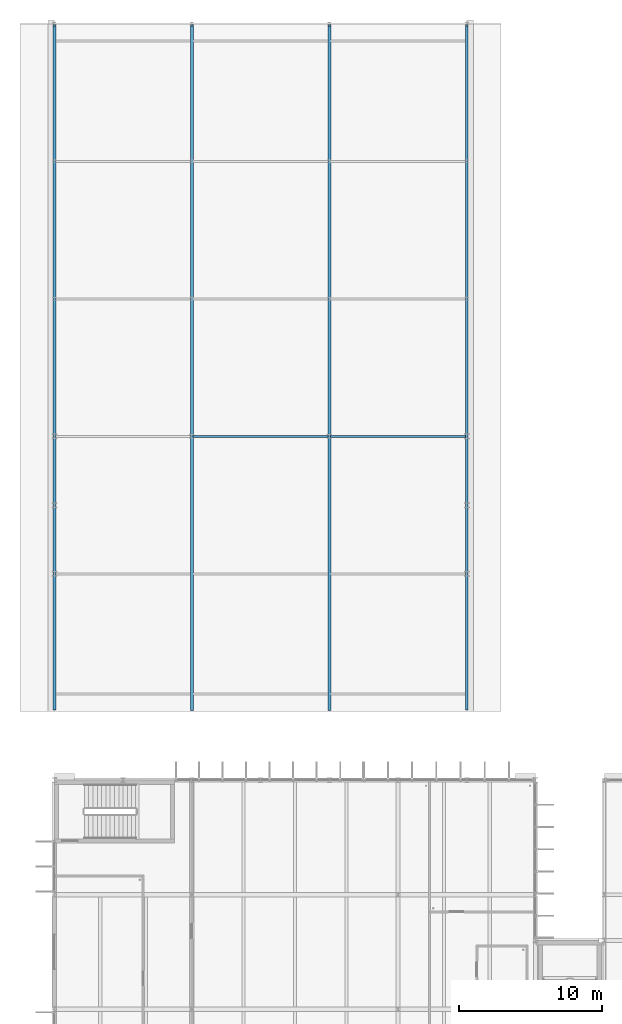
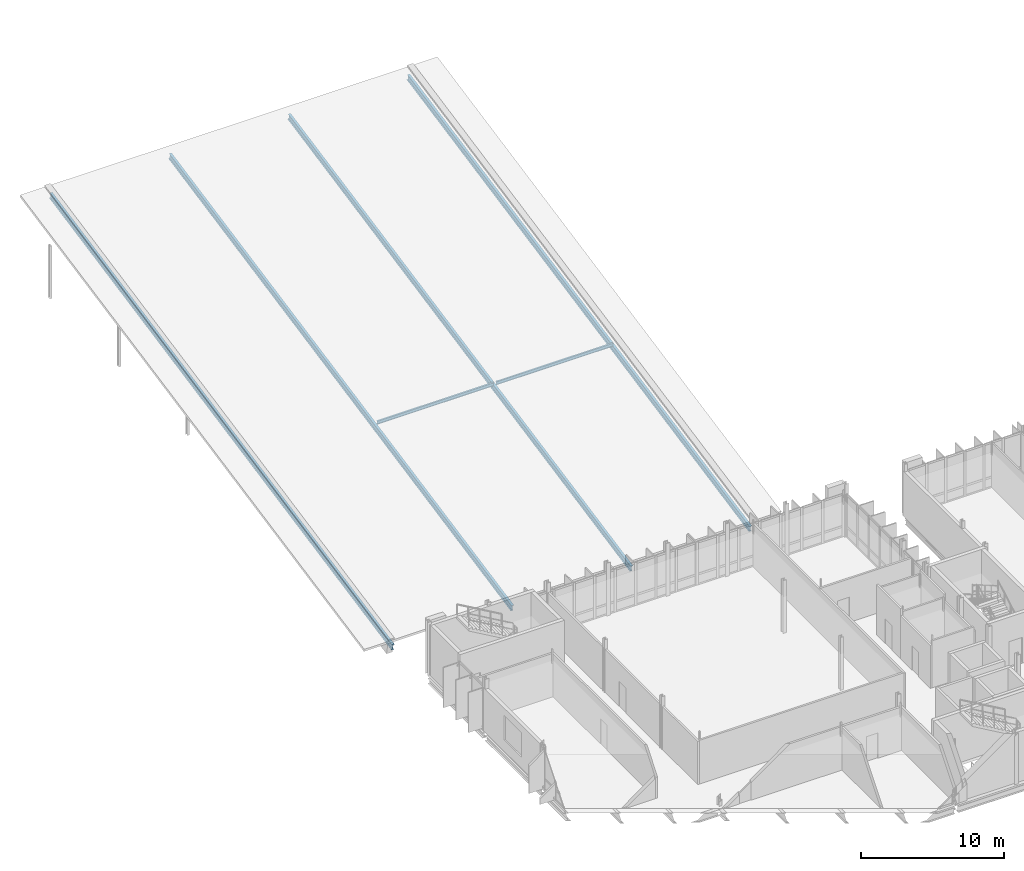
# One storey, part 20 of 59: 6 members.
"""IFC4 building model written with IfcOpenShell, lengths in metres."""

from ifc_helpers import new_model, si_unit, direction, frame, origin, origin_2d, place, context, subcontext, project, spatial, i_section, extrude, material, material_profile, profile_set, type_object, element, save


model = new_model("IFC4")

# Units and contexts
model_context = context("Model", 3, precision=1e-05, world=origin(), true_north=direction((0.0, 1.0)))
body_context = subcontext(model_context, "Body", "Model", "MODEL_VIEW")
ifc_project = project(units=[si_unit("LENGTHUNIT", "METRE"), si_unit("AREAUNIT", "SQUARE_METRE"), si_unit("VOLUMEUNIT", "CUBIC_METRE"), si_unit("PLANEANGLEUNIT", "RADIAN"), si_unit("MASSUNIT", "GRAM", prefix="KILO")], contexts=[model_context])

# Site, building, storey
site_placement = place(None, origin())
site = spatial("IfcSite", under=ifc_project, at=site_placement, CompositionType="ELEMENT")
building_placement = place(site_placement, origin())
building = spatial("IfcBuilding", under=site, at=building_placement, Name="Dunescarp Central Library", CompositionType="ELEMENT")
storey_placement = place(building_placement, frame((0.0, 0.0, 18.60009765625)))
storey = spatial("IfcBuildingStorey", under=building, at=storey_placement, Name="L04", CompositionType="ELEMENT", Elevation=18.60009765625)

# Members
ifc_material = material(Name="Steel S355JR", Category="steel")
ifc_material_profile_1 = material_profile(ifc_material, i_section(OverallWidth=0.135009765625, OverallDepth=0.27001953125, WebThickness=0.006591796875, FlangeThickness=0.01025390625, at=origin_2d()), Name="IPE 270")
ifc_profile_set_1 = profile_set([ifc_material_profile_1], Name="Steel S355JR")
member_type_1 = type_object("IfcMemberType", Name="STR-PR-IPE270", PredefinedType="PURLIN", material=ifc_profile_set_1)
member_1_placement = place(storey_placement, frame((9.697021484375, 60.800048828125, 3.447021484375), z_axis=(1.0, 0.0, 0.0), x_axis=(0.0, 1.0, 0.0)))
element("IfcMember", 1, at=member_1_placement, inside=storey, type_object=member_type_1, Name="V4 roof purlin PR-V4-041", PredefinedType="PURLIN", context=body_context, shape_type="SweptSolid", body=[
    extrude(i_section(OverallWidth=0.135009765625, OverallDepth=0.27001953125, WebThickness=0.006591796875, FlangeThickness=0.01025390625, at=origin_2d()), origin(), (0.0, 0.0, 1.0), 9.406005859375),
])
member_2_placement = place(storey_placement, frame((19.297119140625, 60.800048828125, 3.447021484375), z_axis=(1.0, 0.0, 0.0), x_axis=(0.0, 1.0, 0.0)))
element("IfcMember", 2, at=member_2_placement, inside=storey, type_object=member_type_1, Name="V4 roof purlin PR-V4-042", PredefinedType="PURLIN", context=body_context, shape_type="SweptSolid", body=[
    extrude(i_section(OverallWidth=0.135009765625, OverallDepth=0.27001953125, WebThickness=0.006591796875, FlangeThickness=0.01025390625, at=origin_2d()), origin(), (0.0, 0.0, 1.0), 9.40576171875),
])
ifc_material_profile_2 = material_profile(ifc_material, i_section(OverallWidth=0.199951171875, OverallDepth=0.5, WebThickness=0.01025390625, FlangeThickness=0.01611328125, at=origin_2d()), Name="IPE 500")
ifc_profile_set_2 = profile_set([ifc_material_profile_2], Name="Steel S355JR")
member_type_2 = type_object("IfcMemberType", Name="STR-RF-IPE500", PredefinedType="RAFTER", material=ifc_profile_set_2)
member_3_placement = place(storey_placement, frame((0.0, 41.7548828125, -0.7431640625), z_axis=(0.0, 0.980582218239, 0.196108422238), x_axis=(-1.0, 0.0, 0.0)))
element("IfcMember", 3, at=member_3_placement, inside=storey, type_object=member_type_2, Name="V4 raked roof rafter RFT-V4-037", PredefinedType="RAFTER", context=body_context, shape_type="SweptSolid", body=[
    extrude(i_section(OverallWidth=0.199951171875, OverallDepth=0.5, WebThickness=0.01025390625, FlangeThickness=0.01611328125, at=origin_2d()), origin(), (0.0, 0.0, 1.0), 48.69775390625),
])
for number, where, z_axis, x_axis, name in (
    (4, (9.60009765625, 41.722900390625, -0.75), (0.0, 0.980580482998, 0.196117098603), (-1.0, 0.0, 0.0), "V4 raked roof rafter RFT-V4-038"),
    (5, (19.199951171875, 41.722900390625, -0.75), (0.0, 0.980580482998, 0.196117098603), (-1.0, 0.0, 0.0), "V4 raked roof rafter RFT-V4-039"),
):
    element("IfcMember", number, at=place(storey_placement, frame(where, z_axis=z_axis, x_axis=x_axis)), inside=storey, type_object=member_type_2, Name=name, PredefinedType="RAFTER", context=body_context, shape_type="SweptSolid", body=[
        extrude(i_section(OverallWidth=0.199951171875, OverallDepth=0.5, WebThickness=0.01025390625, FlangeThickness=0.01611328125, at=origin_2d()), origin(), (0.0, 0.0, 1.0), 48.73046875),
    ])
member_4_placement = place(storey_placement, frame((28.800048828125, 41.7548828125, -0.7431640625), z_axis=(0.0, 0.980582218239, 0.196108422238), x_axis=(-1.0, 0.0, 0.0)))
element("IfcMember", 6, at=member_4_placement, inside=storey, type_object=member_type_2, Name="V4 raked roof rafter RFT-V4-040", PredefinedType="RAFTER", context=body_context, shape_type="SweptSolid", body=[
    extrude(i_section(OverallWidth=0.199951171875, OverallDepth=0.5, WebThickness=0.01025390625, FlangeThickness=0.01611328125, at=origin_2d()), origin(), (0.0, 0.0, 1.0), 48.69775390625),
])

save(model, "model.ifc")
